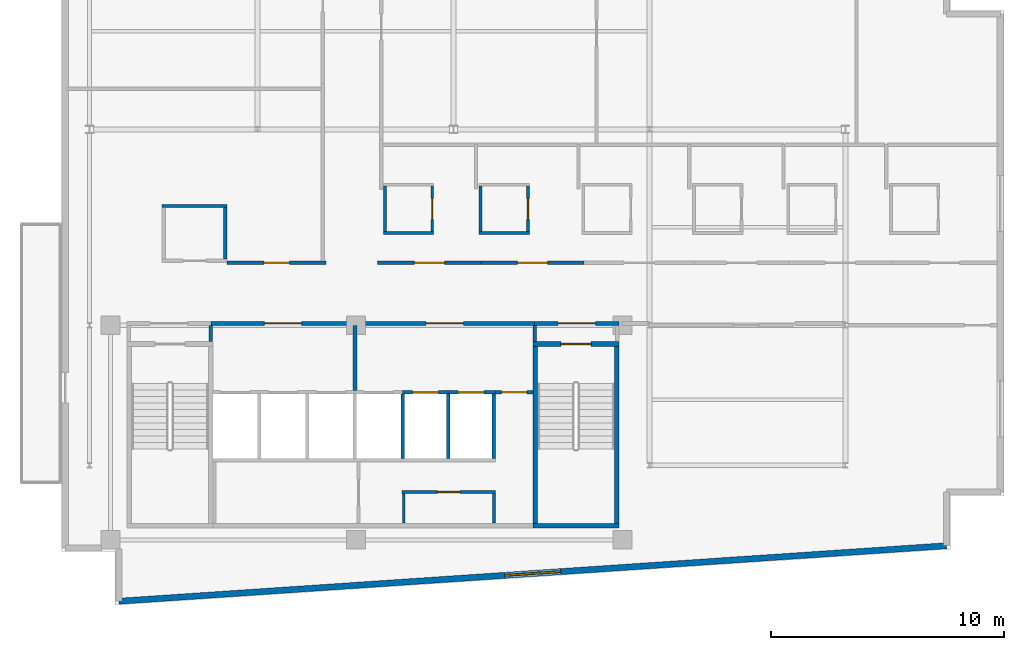
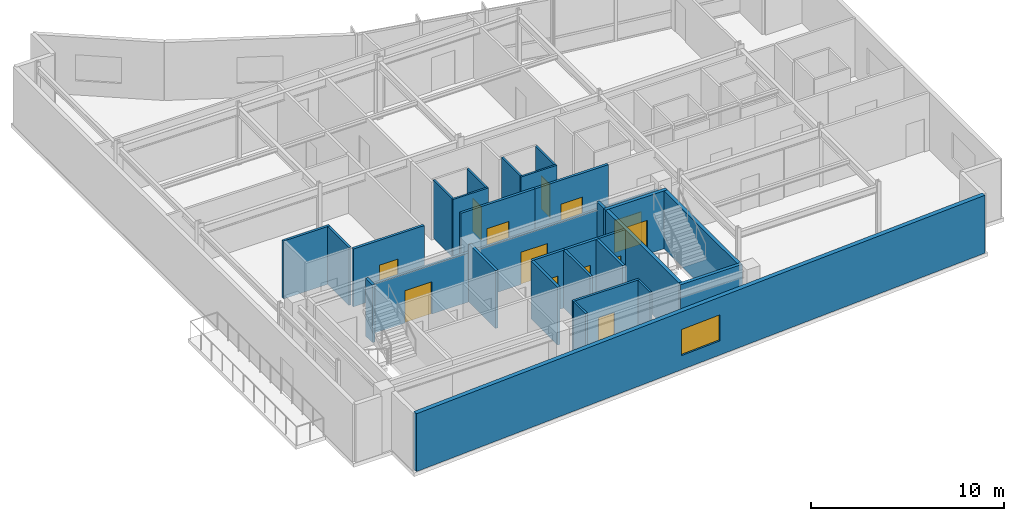
# One storey, part 10 of 15: 31 walls, 13 doors, 1 window, 14 openings.
"""IFC4 building model written with IfcOpenShell, lengths in metres."""

from ifc_helpers import new_model, si_unit, direction, frame, frame_2d, origin, place, context, subcontext, project, spatial, rectangle, extrude, material, layer, layer_set, type_object, element, fill, save


model = new_model("IFC4")

# Units and contexts
model_context = context("Model", 3, precision=1e-05, world=origin(), true_north=direction((0.0, 1.0)))
body_context = subcontext(model_context, "Body", "Model", "MODEL_VIEW")
ifc_project = project(units=[si_unit("LENGTHUNIT", "METRE"), si_unit("AREAUNIT", "SQUARE_METRE"), si_unit("VOLUMEUNIT", "CUBIC_METRE"), si_unit("PLANEANGLEUNIT", "RADIAN"), si_unit("MASSUNIT", "GRAM", prefix="KILO")], contexts=[model_context])

# Site, building, storey
site_placement = place(None, origin())
site = spatial("IfcSite", under=ifc_project, at=site_placement, CompositionType="ELEMENT")
building_placement = place(site_placement, origin())
building = spatial("IfcBuilding", under=site, at=building_placement, Name="Varnakote Quay Hospital", CompositionType="ELEMENT")
storey_placement = place(building_placement, frame((0.0, 0.0, 300.0)))
storey = spatial("IfcBuildingStorey", under=building, at=storey_placement, Name="L74", CompositionType="ELEMENT", Elevation=300.0)

# Wall
ifc_material_1 = material(Name="Fire-rated acoustic gypsum stud wall", Category="gypsum")
ifc_layer_1 = layer(ifc_material_1, 0.159912109375)
ifc_layer_set_1 = layer_set([ifc_layer_1], Name="Fire-rated acoustic gypsum stud wall")
wall_type_1 = type_object("IfcWallType", Name="WL-COMP-160", PredefinedType="PARTITIONING", material=ifc_layer_set_1)
wall_1_placement = place(storey_placement, frame((6.39990234375, 11.300048828125, 0.0), z_axis=(0.0, 0.0, 1.0), x_axis=(0.0, 1.0, 0.0)))
element("IfcWall", 1, at=wall_1_placement, inside=storey, type_object=wall_type_1, Name="L74 Firefighting Lobby West Wall", PredefinedType="PARTITIONING", context=body_context, shape_type="SweptSolid", body=[
    extrude(rectangle(XDim=0.699951171875, YDim=0.159912109375, at=frame_2d((0.35009765625, 0.0))), origin(), (0.0, 0.0, 1.0), 3.669921875),
])

# Wall, opening, door
wall_2_placement = place(storey_placement, frame((6.39990234375, 12.080078125, 0.0), z_axis=(0.0, 0.0, 1.0), x_axis=(1.0, 0.0, 0.0)))
wall_2 = element("IfcWall", 2, at=wall_2_placement, inside=storey, type_object=wall_type_1, Name="L74 Firefighting Lift Lobby Compartment Wall", PredefinedType="PARTITIONING", context=body_context, shape_type="SweptSolid", body=[
    extrude(rectangle(XDim=6.18017578125, YDim=0.159912109375, at=frame_2d((3.090087890625, 0.0))), origin(), (0.0, 0.0, 1.0), 3.116943359375),
])
opening_1_placement = place(wall_2_placement, frame((2.2900390625, 0.0, 0.0)))
opening_1 = element("IfcOpeningElement", 3, at=opening_1_placement, cuts=wall_2, Name="Opening D-FFL-L74", PredefinedType="OPENING", context=body_context, shape_type="SweptSolid", body=[
    extrude(rectangle(XDim=1.60009765625, YDim=2.050048828125, at=frame_2d((0.800048828125, 1.02490234375))), frame((0.0, 0.08984375, 0.0), z_axis=(0.0, -1.0, 0.0), x_axis=(1.0, 0.0, 0.0)), (0.0, 0.0, 1.0), 0.179931640625),
])
ifc_material_2 = material(Name="Fire-rated double smoke lobby door")
door_type_1 = type_object("IfcDoorType", Name="DR-LOBBY-FD60S-1600x2150", OperationType="NOTDEFINED", PredefinedType="DOOR", material=ifc_material_2)
door_1_placement = place(opening_1_placement, origin())
door_1 = element("IfcDoor", 4, at=door_1_placement, inside=storey, type_object=door_type_1, Name="L74 Firefighting Smoke Vestibule Door", OperationType="DOUBLE_DOOR_SINGLE_SWING", OverallHeight=2.050048828125, OverallWidth=1.60009765625, PredefinedType="DOOR", context=body_context, shape_type="SweptSolid", body=[
    extrude(rectangle(XDim=1.60009765625, YDim=2.050048828125, at=frame_2d((0.800048828125, 1.02490234375))), frame((0.0, 0.02490234375, 0.0), z_axis=(0.0, -1.0, 0.0), x_axis=(1.0, 0.0, 0.0)), (0.0, 0.0, 1.0), 0.050048828125),
])
fill(opening_1, door_1)

# Wall
wall_3_placement = place(storey_placement, frame((12.580078125, 9.2099609375, 0.0), z_axis=(0.0, 0.0, 1.0), x_axis=(0.0, 1.0, 0.0)))
element("IfcWall", 5, at=wall_3_placement, inside=storey, type_object=wall_type_1, Name="L74 Firefighting to Service Lobby Wall", PredefinedType="PARTITIONING", context=body_context, shape_type="SweptSolid", body=[
    extrude(rectangle(XDim=2.7900390625, YDim=0.159912109375, at=frame_2d((1.39501953125, 0.0))), origin(), (0.0, 0.0, 1.0), 3.669921875),
])

# Wall, opening, door
wall_4_placement = place(storey_placement, frame((12.580078125, 12.080078125, 0.0), z_axis=(0.0, 0.0, 1.0), x_axis=(1.0, 0.0, 0.0)))
wall_4 = element("IfcWall", 6, at=wall_4_placement, inside=storey, type_object=wall_type_1, Name="L74 Clinical Bed Lift Lobby Wall", PredefinedType="PARTITIONING", context=body_context, shape_type="SweptSolid", body=[
    extrude(rectangle(XDim=7.699951171875, YDim=0.159912109375, at=frame_2d((3.85009765625, 0.0))), origin(), (0.0, 0.0, 1.0), 3.116943359375),
])
opening_2_placement = place(wall_4_placement, frame((3.050048828125, 0.0, 0.0)))
opening_2 = element("IfcOpeningElement", 7, at=opening_2_placement, cuts=wall_4, Name="Opening D-SVL-L74", PredefinedType="OPENING", context=body_context, shape_type="SweptSolid", body=[
    extrude(rectangle(XDim=1.60009765625, YDim=2.050048828125, at=frame_2d((0.800048828125, 1.02490234375))), frame((0.0, 0.08984375, 0.0), z_axis=(0.0, -1.0, 0.0), x_axis=(1.0, 0.0, 0.0)), (0.0, 0.0, 1.0), 0.179931640625),
])
door_2_placement = place(opening_2_placement, origin())
door_2 = element("IfcDoor", 8, at=door_2_placement, inside=storey, type_object=door_type_1, Name="L74 Clinical Core Smoke Vestibule Door", OperationType="DOUBLE_DOOR_SINGLE_SWING", OverallHeight=2.050048828125, OverallWidth=1.60009765625, PredefinedType="DOOR", context=body_context, shape_type="SweptSolid", body=[
    extrude(rectangle(XDim=1.60009765625, YDim=2.050048828125, at=frame_2d((0.800048828125, 1.02490234375))), frame((0.0, 0.02490234375, 0.0), z_axis=(0.0, -1.0, 0.0), x_axis=(1.0, 0.0, 0.0)), (0.0, 0.0, 1.0), 0.050048828125),
])
fill(opening_2, door_2)

# Wall
wall_5_placement = place(storey_placement, frame((20.280029296875, 11.300048828125, 0.0), z_axis=(0.0, 0.0, 1.0), x_axis=(0.0, 1.0, 0.0)))
element("IfcWall", 9, at=wall_5_placement, inside=storey, type_object=wall_type_1, Name="L74 East Stair Vestibule Divider Wall", PredefinedType="PARTITIONING", context=body_context, shape_type="SweptSolid", body=[
    extrude(rectangle(XDim=0.699951171875, YDim=0.159912109375, at=frame_2d((0.35009765625, 0.0))), origin(), (0.0, 0.0, 1.0), 3.669921875),
])

# Wall, opening, door
wall_6_placement = place(storey_placement, frame((20.280029296875, 12.080078125, 0.0), z_axis=(0.0, 0.0, 1.0), x_axis=(1.0, 0.0, 0.0)))
wall_6 = element("IfcWall", 10, at=wall_6_placement, inside=storey, type_object=wall_type_1, Name="L74 East Stair Vestibule Smoke Wall", PredefinedType="PARTITIONING", context=body_context, shape_type="SweptSolid", body=[
    extrude(rectangle(XDim=3.619873046875, YDim=0.159912109375, at=frame_2d((1.81005859375, 0.0))), origin(), (0.0, 0.0, 1.0), 3.116943359375),
])
opening_3_placement = place(wall_6_placement, frame((1.010009765625, 0.0, 0.0)))
opening_3 = element("IfcOpeningElement", 11, at=opening_3_placement, cuts=wall_6, Name="Opening D-ST2L-L74", PredefinedType="OPENING", context=body_context, shape_type="SweptSolid", body=[
    extrude(rectangle(XDim=1.60009765625, YDim=2.050048828125, at=frame_2d((0.800048828125, 1.02490234375))), frame((0.0, 0.08984375, 0.0), z_axis=(0.0, -1.0, 0.0), x_axis=(1.0, 0.0, 0.0)), (0.0, 0.0, 1.0), 0.179931640625),
])
door_3_placement = place(opening_3_placement, origin())
door_3 = element("IfcDoor", 12, at=door_3_placement, inside=storey, type_object=door_type_1, Name="L74 East Stair Vestibule Smoke Door", OperationType="DOUBLE_DOOR_SINGLE_SWING", OverallHeight=2.050048828125, OverallWidth=1.60009765625, PredefinedType="DOOR", context=body_context, shape_type="SweptSolid", body=[
    extrude(rectangle(XDim=1.60009765625, YDim=2.050048828125, at=frame_2d((0.800048828125, 1.02490234375))), frame((0.0, 0.02490234375, 0.0), z_axis=(0.0, -1.0, 0.0), x_axis=(1.0, 0.0, 0.0)), (0.0, 0.0, 1.0), 0.050048828125),
])
fill(opening_3, door_3)

# Walls
ifc_material_3 = material(Name="Moisture-resistant bathroom partition", Category="gypsum")
ifc_layer_2 = layer(ifc_material_3, 0.114990234375)
ifc_layer_set_2 = layer_set([ifc_layer_2], Name="Moisture-resistant bathroom partition")
wall_type_2 = type_object("IfcWallType", Name="WL-ENS-115", PredefinedType="PARTITIONING", material=ifc_layer_set_2)
wall_7_placement = place(storey_placement, frame((13.804931640625, 15.952392578125, 0.0), z_axis=(0.0, 0.0, 1.0), x_axis=(1.0, 0.0, 0.0)))
element("IfcWall", 13, at=wall_7_placement, inside=storey, type_object=wall_type_2, Name="L74 Inpatient En-Suite Bathroom 01 S Wall", PredefinedType="PARTITIONING", context=body_context, shape_type="SweptSolid", body=[
    extrude(rectangle(XDim=2.150146484375, YDim=0.114990234375, at=frame_2d((1.0751953125, 0.0))), origin(), (0.0, 0.0, 1.0), 3.669921875),
])
wall_8_placement = place(storey_placement, frame((13.862548828125, 16.010009765625, 0.0), z_axis=(0.0, 0.0, 1.0), x_axis=(0.0, 1.0, 0.0)))
element("IfcWall", 14, at=wall_8_placement, inside=storey, type_object=wall_type_2, Name="L74 Inpatient En-Suite Bathroom 01 W Wall", PredefinedType="PARTITIONING", context=body_context, shape_type="SweptSolid", body=[
    extrude(rectangle(XDim=1.949951171875, YDim=0.114990234375, at=frame_2d((0.97509765625, 0.0))), origin(), (0.0, 0.0, 1.0), 3.669921875),
])

# Wall, opening, door
wall_9_placement = place(storey_placement, frame((15.8974609375, 16.010009765625, 0.0), z_axis=(0.0, 0.0, 1.0), x_axis=(0.0, 1.0, 0.0)))
wall_9 = element("IfcWall", 15, at=wall_9_placement, inside=storey, type_object=wall_type_2, Name="L74 Inpatient En-Suite Bathroom 01 E Wall", PredefinedType="PARTITIONING", context=body_context, shape_type="SweptSolid", body=[
    extrude(rectangle(XDim=1.949951171875, YDim=0.114990234375, at=frame_2d((0.97509765625, 0.0))), origin(), (0.0, 0.0, 1.0), 3.669921875),
])
opening_4_placement = place(wall_9_placement, frame((0.514892578125, 0.0, 0.0)))
opening_4 = element("IfcOpeningElement", 16, at=opening_4_placement, cuts=wall_9, Name="Opening D-L74-ENS01", PredefinedType="OPENING", context=body_context, shape_type="SweptSolid", body=[
    extrude(rectangle(XDim=0.919921875, YDim=2.10009765625, at=frame_2d((0.4599609375, 1.050048828125))), frame((0.0, 0.0673828125, 0.0), z_axis=(0.0, -1.0, 0.0), x_axis=(1.0, 0.0, 0.0)), (0.0, 0.0, 1.0), 0.135009765625),
])
ifc_material_4 = material(Name="Moisture-sealed en-suite bathroom door")
door_type_2 = type_object("IfcDoorType", Name="DR-ENS-920x2100", OperationType="NOTDEFINED", PredefinedType="DOOR", material=ifc_material_4)
door_4_placement = place(opening_4_placement, origin())
door_4 = element("IfcDoor", 17, at=door_4_placement, inside=storey, type_object=door_type_2, Name="L74 Inpatient En-Suite Bathroom 01 Door", OperationType="SINGLE_SWING_LEFT", OverallHeight=2.10009765625, OverallWidth=0.919921875, PredefinedType="DOOR", context=body_context, shape_type="SweptSolid", body=[
    extrude(rectangle(XDim=0.919921875, YDim=2.10009765625, at=frame_2d((0.4599609375, 1.050048828125))), frame((0.0, 0.02490234375, 0.0), z_axis=(0.0, -1.0, 0.0), x_axis=(1.0, 0.0, 0.0)), (0.0, 0.0, 1.0), 0.050048828125),
])
fill(opening_4, door_4)

# Walls
wall_10_placement = place(storey_placement, frame((17.905029296875, 15.952392578125, 0.0), z_axis=(0.0, 0.0, 1.0), x_axis=(1.0, 0.0, 0.0)))
element("IfcWall", 18, at=wall_10_placement, inside=storey, type_object=wall_type_2, Name="L74 Inpatient En-Suite Bathroom 02 S Wall", PredefinedType="PARTITIONING", context=body_context, shape_type="SweptSolid", body=[
    extrude(rectangle(XDim=2.14990234375, YDim=0.114990234375, at=frame_2d((1.074951171875, 0.0))), origin(), (0.0, 0.0, 1.0), 3.669921875),
])
wall_11_placement = place(storey_placement, frame((17.96240234375, 16.010009765625, 0.0), z_axis=(0.0, 0.0, 1.0), x_axis=(0.0, 1.0, 0.0)))
element("IfcWall", 19, at=wall_11_placement, inside=storey, type_object=wall_type_2, Name="L74 Inpatient En-Suite Bathroom 02 W Wall", PredefinedType="PARTITIONING", context=body_context, shape_type="SweptSolid", body=[
    extrude(rectangle(XDim=1.949951171875, YDim=0.114990234375, at=frame_2d((0.97509765625, 0.0))), origin(), (0.0, 0.0, 1.0), 3.669921875),
])

# Wall, opening, door
wall_12_placement = place(storey_placement, frame((19.99755859375, 16.010009765625, 0.0), z_axis=(0.0, 0.0, 1.0), x_axis=(0.0, 1.0, 0.0)))
wall_12 = element("IfcWall", 20, at=wall_12_placement, inside=storey, type_object=wall_type_2, Name="L74 Inpatient En-Suite Bathroom 02 E Wall", PredefinedType="PARTITIONING", context=body_context, shape_type="SweptSolid", body=[
    extrude(rectangle(XDim=1.949951171875, YDim=0.114990234375, at=frame_2d((0.97509765625, 0.0))), origin(), (0.0, 0.0, 1.0), 3.669921875),
])
opening_5_placement = place(wall_12_placement, frame((0.514892578125, 0.0, 0.0)))
opening_5 = element("IfcOpeningElement", 21, at=opening_5_placement, cuts=wall_12, Name="Opening D-L74-ENS02", PredefinedType="OPENING", context=body_context, shape_type="SweptSolid", body=[
    extrude(rectangle(XDim=0.919921875, YDim=2.10009765625, at=frame_2d((0.4599609375, 1.050048828125))), frame((0.0, 0.0673828125, 0.0), z_axis=(0.0, -1.0, 0.0), x_axis=(1.0, 0.0, 0.0)), (0.0, 0.0, 1.0), 0.135009765625),
])
door_5_placement = place(opening_5_placement, origin())
door_5 = element("IfcDoor", 22, at=door_5_placement, inside=storey, type_object=door_type_2, Name="L74 Inpatient En-Suite Bathroom 02 Door", OperationType="SINGLE_SWING_RIGHT", OverallHeight=2.10009765625, OverallWidth=0.919921875, PredefinedType="DOOR", context=body_context, shape_type="SweptSolid", body=[
    extrude(rectangle(XDim=0.919921875, YDim=2.10009765625, at=frame_2d((0.4599609375, 1.050048828125))), frame((0.0, 0.02490234375, 0.0), z_axis=(0.0, -1.0, 0.0), x_axis=(1.0, 0.0, 0.0)), (0.0, 0.0, 1.0), 0.050048828125),
])
fill(opening_5, door_5)

# Wall, opening, window
ifc_material_5 = material(Name="Precast concrete N50 (f'c 50 MPa)", Category="concrete")
ifc_layer_3 = layer(ifc_material_5, 0.260009765625)
ifc_layer_set_3 = layer_set([ifc_layer_3], Name="Precast concrete N50 (f'c 50 MPa)")
wall_type_3 = type_object("IfcWallType", Name="WL-EXT-BRICK-260", PredefinedType="STANDARD", material=ifc_layer_set_3)
wall_13_placement = place(storey_placement, frame((2.4599609375, 0.171142578125, 0.0), z_axis=(0.0, 0.0, 1.0), x_axis=(0.997760665813, 0.066885377746, 0.0)))
wall_13 = element("IfcWall", 23, at=wall_13_placement, inside=storey, type_object=wall_type_3, Name="L74 Brick-Faced Precast Exterior Wall", PredefinedType="STANDARD", context=body_context, shape_type="SweptSolid", body=[
    extrude(rectangle(XDim=35.5595703125, YDim=0.260009765625, at=frame_2d((17.77978515625, 0.0))), origin(), (0.0, 0.0, 1.0), 3.669921875),
])
opening_6_placement = place(wall_13_placement, frame((16.579833984375, 0.0, 0.89990234375)))
opening_6 = element("IfcOpeningElement", 24, at=opening_6_placement, cuts=wall_13, Name="Opening WN-0298", PredefinedType="OPENING", context=body_context, shape_type="SweptSolid", body=[
    extrude(rectangle(XDim=2.39990234375, YDim=1.64990234375, at=frame_2d((1.199951171875, 0.824951171875))), frame((0.0, 0.139892578125, 0.0), z_axis=(0.0, -1.0, 0.0), x_axis=(1.0, 0.0, 0.0)), (0.0, 0.0, 1.0), 0.280029296875),
])
ifc_material_6 = material(Name="Double-glazed low-E solar glass", Category="glass")
window_type = type_object("IfcWindowType", Name="WIN-CLIN-2400x1650", PartitioningType="SINGLE_PANEL", PredefinedType="WINDOW", material=ifc_material_6)
window_placement = place(opening_6_placement, origin())
window = element("IfcWindow", 25, at=window_placement, inside=storey, type_object=window_type, Name="L74 Solar-Control Clinical Window", OverallHeight=1.64990234375, OverallWidth=2.39990234375, PartitioningType="SINGLE_PANEL", PredefinedType="WINDOW", context=body_context, shape_type="SweptSolid", body=[
    extrude(rectangle(XDim=2.39990234375, YDim=1.64990234375, at=frame_2d((1.199951171875, 0.824951171875))), frame((0.0, 0.030029296875, 0.0), z_axis=(0.0, -1.0, 0.0), x_axis=(1.0, 0.0, 0.0)), (0.0, 0.0, 1.0), 0.06005859375),
])
fill(opening_6, window)

# Walls
ifc_material_7 = material(Name="Concrete N50 (f'c 50 MPa)", Category="concrete")
ifc_layer_4 = layer(ifc_material_7, 0.14990234375)
ifc_layer_set_4 = layer_set([ifc_layer_4], Name="Concrete N50 (f'c 50 MPa)")
wall_type_4 = type_object("IfcWallType", Name="WL-SHAFT-N50-150", PredefinedType="SHEAR", material=ifc_layer_set_4)
for number, where, z_axis, x_axis, name in (
    (26, (14.625, 6.300048828125, 0.0), (0.0, 0.0, 1.0), (0.0, 1.0, 0.0), "L74 LF-SV2 Hoistway Divider Wall"),
    (27, (16.574951171875, 6.300048828125, 0.0), (0.0, 0.0, 1.0), (0.0, 1.0, 0.0), "L74 LF-PH1 Hoistway Divider Wall"),
):
    element("IfcWall", number, at=place(storey_placement, frame(where, z_axis=z_axis, x_axis=x_axis)), inside=storey, type_object=wall_type_4, Name=name, PredefinedType="SHEAR", context=body_context, shape_type="SweptSolid", body=[
        extrude(rectangle(XDim=2.75, YDim=0.14990234375, at=frame_2d((1.375, 0.0))), origin(), (0.0, 0.0, 1.0), 3.669921875),
    ])
ifc_material_8 = material(Name="Concrete N50 (f'c 50 MPa)", Category="concrete")
ifc_layer_5 = layer(ifc_material_8, 0.159912109375)
ifc_layer_set_5 = layer_set([ifc_layer_5], Name="Concrete N50 (f'c 50 MPa)")
wall_type_5 = type_object("IfcWallType", Name="WL-SHAFT-N50-160", PredefinedType="SHEAR", material=ifc_layer_set_5)
wall_14_placement = place(storey_placement, frame((18.530029296875, 6.300048828125, 0.0), z_axis=(0.0, 0.0, 1.0), x_axis=(0.0, 1.0, 0.0)))
element("IfcWall", 28, at=wall_14_placement, inside=storey, type_object=wall_type_5, Name="L74 REAR Lift Bank East Shear Wall", PredefinedType="SHEAR", context=body_context, shape_type="SweptSolid", body=[
    extrude(rectangle(XDim=2.75, YDim=0.159912109375, at=frame_2d((1.375, 0.0))), origin(), (0.0, 0.0, 1.0), 3.669921875),
])

# Wall, opening, door
wall_15_placement = place(storey_placement, frame((14.625, 9.1298828125, 0.0), z_axis=(0.0, 0.0, 1.0), x_axis=(1.0, 0.0, 0.0)))
wall_15 = element("IfcWall", 29, at=wall_15_placement, inside=storey, type_object=wall_type_5, Name="L74 LF-PH1 Hoistway Front Wall", PredefinedType="SHEAR", context=body_context, shape_type="SweptSolid", body=[
    extrude(rectangle(XDim=1.949951171875, YDim=0.159912109375, at=frame_2d((0.97509765625, 0.0))), origin(), (0.0, 0.0, 1.0), 3.669921875),
])
opening_7_placement = place(wall_15_placement, frame((0.425048828125, 0.0, 0.0)))
opening_7 = element("IfcOpeningElement", 30, at=opening_7_placement, cuts=wall_15, Name="Opening LD-PH1-L74", PredefinedType="OPENING", context=body_context, shape_type="SweptSolid", body=[
    extrude(rectangle(XDim=1.10009765625, YDim=2.14990234375, at=frame_2d((0.550048828125, 1.074951171875))), frame((0.0, 0.08984375, 0.0), z_axis=(0.0, -1.0, 0.0), x_axis=(1.0, 0.0, 0.0)), (0.0, 0.0, 1.0), 0.179931640625),
])
ifc_material_9 = material(Name="Brushed bronze lift landing sliding door")
door_type_3 = type_object("IfcDoorType", Name="DR-LIFT-LD-1100x2150", OperationType="NOTDEFINED", PredefinedType="DOOR", material=ifc_material_9)
door_6_placement = place(opening_7_placement, origin())
door_6 = element("IfcDoor", 31, at=door_6_placement, inside=storey, type_object=door_type_3, Name="L74 LF-PH1 Lift Landing Sliding Door", OperationType="SLIDING_TO_LEFT", OverallHeight=2.14990234375, OverallWidth=1.10009765625, PredefinedType="DOOR", context=body_context, shape_type="SweptSolid", body=[
    extrude(rectangle(XDim=1.10009765625, YDim=2.14990234375, at=frame_2d((0.550048828125, 1.074951171875))), frame((0.0, 0.02490234375, 0.0), z_axis=(0.0, -1.0, 0.0), x_axis=(1.0, 0.0, 0.0)), (0.0, 0.0, 1.0), 0.050048828125),
])
fill(opening_7, door_6)

wall_16_placement = place(storey_placement, frame((16.574951171875, 9.1298828125, 0.0), z_axis=(0.0, 0.0, 1.0), x_axis=(1.0, 0.0, 0.0)))
wall_16 = element("IfcWall", 32, at=wall_16_placement, inside=storey, type_object=wall_type_5, Name="L74 LF-PH2 Hoistway Front Wall", PredefinedType="SHEAR", context=body_context, shape_type="SweptSolid", body=[
    extrude(rectangle(XDim=2.03515625, YDim=0.159912109375, at=frame_2d((1.017578125, 0.0))), origin(), (0.0, 0.0, 1.0), 3.669921875),
])
opening_8_placement = place(wall_16_placement, frame((0.425048828125, 0.0, 0.0)))
opening_8 = element("IfcOpeningElement", 33, at=opening_8_placement, cuts=wall_16, Name="Opening LD-PH2-L74", PredefinedType="OPENING", context=body_context, shape_type="SweptSolid", body=[
    extrude(rectangle(XDim=1.10009765625, YDim=2.14990234375, at=frame_2d((0.550048828125, 1.074951171875))), frame((0.0, 0.08984375, 0.0), z_axis=(0.0, -1.0, 0.0), x_axis=(1.0, 0.0, 0.0)), (0.0, 0.0, 1.0), 0.179931640625),
])
door_7_placement = place(opening_8_placement, origin())
door_7 = element("IfcDoor", 34, at=door_7_placement, inside=storey, type_object=door_type_3, Name="L74 LF-PH2 Lift Landing Sliding Door", OperationType="SLIDING_TO_LEFT", OverallHeight=2.14990234375, OverallWidth=1.10009765625, PredefinedType="DOOR", context=body_context, shape_type="SweptSolid", body=[
    extrude(rectangle(XDim=1.10009765625, YDim=2.14990234375, at=frame_2d((0.550048828125, 1.074951171875))), frame((0.0, 0.02490234375, 0.0), z_axis=(0.0, -1.0, 0.0), x_axis=(1.0, 0.0, 0.0)), (0.0, 0.0, 1.0), 0.050048828125),
])
fill(opening_8, door_7)

# Walls
ifc_material_10 = material(Name="Concrete N50 (f'c 50 MPa)", Category="concrete")
ifc_layer_6 = layer(ifc_material_10, 0.199951171875)
ifc_layer_set_6 = layer_set([ifc_layer_6], Name="Concrete N50 (f'c 50 MPa)")
wall_type_6 = type_object("IfcWallType", Name="WL-SHAFT-N50-200", PredefinedType="SHEAR", material=ifc_layer_set_6)
wall_17_placement = place(storey_placement, frame((20.199951171875, 3.39990234375, 0.0), z_axis=(0.0, 0.0, 1.0), x_axis=(1.0, 0.0, 0.0)))
element("IfcWall", 35, at=wall_17_placement, inside=storey, type_object=wall_type_6, Name="L74 Stair ST2 South Shaft Wall", PredefinedType="SHEAR", context=body_context, shape_type="SweptSolid", body=[
    extrude(rectangle(XDim=3.699951171875, YDim=0.199951171875, at=frame_2d((1.85009765625, 0.0))), origin(), (0.0, 0.0, 1.0), 3.669921875),
])
for number, where, z_axis, x_axis, name in (
    (36, (20.300048828125, 3.5, 0.0), (0.0, 0.0, 1.0), (0.0, 1.0, 0.0), "L74 Stair ST2 West Shaft Wall"),
    (37, (23.800048828125, 3.5, 0.0), (0.0, 0.0, 1.0), (0.0, 1.0, 0.0), "L74 Stair ST2 East Shaft Wall"),
):
    element("IfcWall", number, at=place(storey_placement, frame(where, z_axis=z_axis, x_axis=x_axis)), inside=storey, type_object=wall_type_6, Name=name, PredefinedType="SHEAR", context=body_context, shape_type="SweptSolid", body=[
        extrude(rectangle(XDim=7.60009765625, YDim=0.199951171875, at=frame_2d((3.800048828125, 0.0))), origin(), (0.0, 0.0, 1.0), 3.669921875),
    ])

# Wall, opening, door
wall_18_placement = place(storey_placement, frame((20.199951171875, 11.199951171875, 0.0), z_axis=(0.0, 0.0, 1.0), x_axis=(1.0, 0.0, 0.0)))
wall_18 = element("IfcWall", 38, at=wall_18_placement, inside=storey, type_object=wall_type_6, Name="L74 Stair ST2 Exit Wall", PredefinedType="SHEAR", context=body_context, shape_type="SweptSolid", body=[
    extrude(rectangle(XDim=3.699951171875, YDim=0.199951171875, at=frame_2d((1.85009765625, 0.0))), origin(), (0.0, 0.0, 1.0), 3.669921875),
])
opening_9_placement = place(wall_18_placement, frame((1.199951171875, 0.0, 0.0)))
opening_9 = element("IfcOpeningElement", 39, at=opening_9_placement, cuts=wall_18, Name="Opening D-ST2-L74", PredefinedType="OPENING", context=body_context, shape_type="SweptSolid", body=[
    extrude(rectangle(XDim=1.300048828125, YDim=2.14990234375, at=frame_2d((0.64990234375, 1.074951171875))), frame((0.0, 0.10986328125, 0.0), z_axis=(0.0, -1.0, 0.0), x_axis=(1.0, 0.0, 0.0)), (0.0, 0.0, 1.0), 0.219970703125),
])
ifc_material_11 = material(Name="Fire-rated ceramic-glazed timber exit door", Category="wood")
door_type_4 = type_object("IfcDoorType", Name="DR-STAIR-FD60S-1300x2150", OperationType="NOTDEFINED", PredefinedType="DOOR", material=ifc_material_11)
door_8_placement = place(opening_9_placement, origin())
door_8 = element("IfcDoor", 40, at=door_8_placement, inside=storey, type_object=door_type_4, Name="L74 Stair ST2 Fire Exit Door", OperationType="SINGLE_SWING_RIGHT", OverallHeight=2.14990234375, OverallWidth=1.300048828125, PredefinedType="DOOR", context=body_context, shape_type="SweptSolid", body=[
    extrude(rectangle(XDim=1.300048828125, YDim=2.14990234375, at=frame_2d((0.64990234375, 1.074951171875))), frame((0.0, 0.02490234375, 0.0), z_axis=(0.0, -1.0, 0.0), x_axis=(1.0, 0.0, 0.0)), (0.0, 0.0, 1.0), 0.050048828125),
])
fill(opening_9, door_8)

# Walls
ifc_material_12 = material(Name="Smoke-proof clinical partition", Category="gypsum")
ifc_layer_7 = layer(ifc_material_12, 0.1201171875)
ifc_layer_set_7 = layer_set([ifc_layer_7], Name="Smoke-proof clinical partition")
wall_type_7 = type_object("IfcWallType", Name="WL-SMOKE-120", PredefinedType="PARTITIONING", material=ifc_layer_set_7)
for number, where, z_axis, x_axis, name in (
    (41, (14.669921875, 3.52001953125, 0.0), (0.0, 0.0, 1.0), (0.0, 1.0, 0.0), "L74 Core WC West Wall"),
    (42, (18.5400390625, 3.52001953125, 0.0), (0.0, 0.0, 1.0), (0.0, 1.0, 0.0), "L74 Core WC East Wall"),
):
    element("IfcWall", number, at=place(storey_placement, frame(where, z_axis=z_axis, x_axis=x_axis)), inside=storey, type_object=wall_type_7, Name=name, PredefinedType="PARTITIONING", context=body_context, shape_type="SweptSolid", body=[
        extrude(rectangle(XDim=1.260009765625, YDim=0.1201171875, at=frame_2d((0.6298828125, 0.0))), origin(), (0.0, 0.0, 1.0), 3.669921875),
    ])

# Wall, opening, door
ifc_material_13 = material(Name="Fire-rated clinical gypsum partition", Category="gypsum")
ifc_layer_8 = layer(ifc_material_13, 0.139892578125)
ifc_layer_set_8 = layer_set([ifc_layer_8], Name="Fire-rated clinical gypsum partition")
wall_type_8 = type_object("IfcWallType", Name="WL-WARD-140", PredefinedType="PARTITIONING", material=ifc_layer_set_8)
wall_19_placement = place(storey_placement, frame((14.60009765625, 4.85009765625, 0.0), z_axis=(0.0, 0.0, 1.0), x_axis=(1.0, 0.0, 0.0)))
wall_19 = element("IfcWall", 43, at=wall_19_placement, inside=storey, type_object=wall_type_8, Name="L74 Core Staff Sanitary WC North Wall", PredefinedType="PARTITIONING", context=body_context, shape_type="SweptSolid", body=[
    extrude(rectangle(XDim=4.0, YDim=0.139892578125, at=frame_2d((2.0, 0.0))), origin(), (0.0, 0.0, 1.0), 3.669921875),
])
opening_10_placement = place(wall_19_placement, frame((1.510009765625, 0.0, 0.0)))
opening_10 = element("IfcOpeningElement", 44, at=opening_10_placement, cuts=wall_19, Name="Opening D-L74-CR02", PredefinedType="OPENING", context=body_context, shape_type="SweptSolid", body=[
    extrude(rectangle(XDim=0.97998046875, YDim=2.10009765625, at=frame_2d((0.489990234375, 1.050048828125))), frame((0.0, 0.079833984375, 0.0), z_axis=(0.0, -1.0, 0.0), x_axis=(1.0, 0.0, 0.0)), (0.0, 0.0, 1.0), 0.159912109375),
])
ifc_material_14 = material(Name="Accessible sanitary compartment door")
door_type_5 = type_object("IfcDoorType", Name="DR-WC-980x2100", OperationType="NOTDEFINED", PredefinedType="DOOR", material=ifc_material_14)
door_9_placement = place(opening_10_placement, origin())
door_9 = element("IfcDoor", 45, at=door_9_placement, inside=storey, type_object=door_type_5, Name="L74 Core Staff Sanitary WC Door", OperationType="SINGLE_SWING_RIGHT", OverallHeight=2.10009765625, OverallWidth=0.97998046875, PredefinedType="DOOR", context=body_context, shape_type="SweptSolid", body=[
    extrude(rectangle(XDim=0.97998046875, YDim=2.10009765625, at=frame_2d((0.489990234375, 1.050048828125))), frame((0.0, 0.02490234375, 0.0), z_axis=(0.0, -1.0, 0.0), x_axis=(1.0, 0.0, 0.0)), (0.0, 0.0, 1.0), 0.050048828125),
])
fill(opening_10, door_9)

wall_20_placement = place(storey_placement, frame((18.610107421875, 9.1298828125, 0.0), z_axis=(0.0, 0.0, 1.0), x_axis=(1.0, 0.0, 0.0)))
wall_20 = element("IfcWall", 46, at=wall_20_placement, inside=storey, type_object=wall_type_8, Name="L74 Core Service Corridor North Door Wall", PredefinedType="PARTITIONING", context=body_context, shape_type="SweptSolid", body=[
    extrude(rectangle(XDim=1.58984375, YDim=0.139892578125, at=frame_2d((0.794921875, 0.0))), origin(), (0.0, 0.0, 1.0), 3.669921875),
])
opening_11_placement = place(wall_20_placement, frame((0.239990234375, 0.0, 0.0)))
opening_11 = element("IfcOpeningElement", 47, at=opening_11_placement, cuts=wall_20, Name="Opening D-CSRV-L74", PredefinedType="OPENING", context=body_context, shape_type="SweptSolid", body=[
    extrude(rectangle(XDim=1.10009765625, YDim=2.10009765625, at=frame_2d((0.550048828125, 1.050048828125))), frame((0.0, 0.079833984375, 0.0), z_axis=(0.0, -1.0, 0.0), x_axis=(1.0, 0.0, 0.0)), (0.0, 0.0, 1.0), 0.159912109375),
])
ifc_material_15 = material(Name="Acoustic timber clinical consult door", Category="wood")
door_type_6 = type_object("IfcDoorType", Name="DR-CLIN-FD30S-1100x2100", OperationType="NOTDEFINED", PredefinedType="DOOR", material=ifc_material_15)
door_10_placement = place(opening_11_placement, origin())
door_10 = element("IfcDoor", 48, at=door_10_placement, inside=storey, type_object=door_type_6, Name="L74 Core Service Corridor Door", OperationType="SINGLE_SWING_LEFT", OverallHeight=2.10009765625, OverallWidth=1.10009765625, PredefinedType="DOOR", context=body_context, shape_type="SweptSolid", body=[
    extrude(rectangle(XDim=1.10009765625, YDim=2.10009765625, at=frame_2d((0.550048828125, 1.050048828125))), frame((0.0, 0.02490234375, 0.0), z_axis=(0.0, -1.0, 0.0), x_axis=(1.0, 0.0, 0.0)), (0.0, 0.0, 1.0), 0.050048828125),
])
fill(opening_11, door_10)

# Walls
wall_21_placement = place(storey_placement, frame((4.31005859375, 17.110107421875, 0.0), z_axis=(0.0, 0.0, 1.0), x_axis=(1.0, 0.0, 0.0)))
element("IfcWall", 49, at=wall_21_placement, inside=storey, type_object=wall_type_8, Name="L74 Floor Unisex Accessible WC N Wall", PredefinedType="PARTITIONING", context=body_context, shape_type="SweptSolid", body=[
    extrude(rectangle(XDim=2.780029296875, YDim=0.139892578125, at=frame_2d((1.39013671875, 0.0))), origin(), (0.0, 0.0, 1.0), 3.669921875),
])
wall_22_placement = place(storey_placement, frame((7.02001953125, 14.840087890625, 0.0), z_axis=(0.0, 0.0, 1.0), x_axis=(0.0, 1.0, 0.0)))
element("IfcWall", 50, at=wall_22_placement, inside=storey, type_object=wall_type_8, Name="L74 Floor Unisex Accessible WC E Wall", PredefinedType="PARTITIONING", context=body_context, shape_type="SweptSolid", body=[
    extrude(rectangle(XDim=2.199951171875, YDim=0.139892578125, at=frame_2d((1.10009765625, 0.0))), origin(), (0.0, 0.0, 1.0), 3.669921875),
])

# Wall, opening, door
ifc_material_16 = material(Name="Fire-rated clinical gypsum partition", Category="gypsum")
ifc_layer_9 = layer(ifc_material_16, 0.14990234375)
ifc_layer_set_9 = layer_set([ifc_layer_9], Name="Fire-rated clinical gypsum partition")
wall_type_9 = type_object("IfcWallType", Name="WL-WARD-150", PredefinedType="PARTITIONING", material=ifc_layer_set_9)
wall_23_placement = place(storey_placement, frame((11.345947265625, 14.679931640625, 0.0), z_axis=(0.0, 0.0, 1.0), x_axis=(-1.0, 0.0, 0.0)))
wall_23 = element("IfcWall", 51, at=wall_23_placement, inside=storey, type_object=wall_type_9, Name="L74 Clinical Interior Partition", PredefinedType="PARTITIONING", context=body_context, shape_type="SweptSolid", body=[
    extrude(rectangle(XDim=4.25390625, YDim=0.14990234375, at=frame_2d((2.126953125, 0.0))), origin(), (0.0, 0.0, 1.0), 3.669921875),
])
opening_12_placement = place(wall_23_placement, frame((1.576904296875, 0.0, 0.0)))
opening_12 = element("IfcOpeningElement", 52, at=opening_12_placement, cuts=wall_23, Name="Opening D-L74-DLNG", PredefinedType="OPENING", context=body_context, shape_type="SweptSolid", body=[
    extrude(rectangle(XDim=1.10009765625, YDim=2.10009765625, at=frame_2d((0.550048828125, 1.050048828125))), frame((0.0, 0.0849609375, 0.0), z_axis=(0.0, -1.0, 0.0), x_axis=(1.0, 0.0, 0.0)), (0.0, 0.0, 1.0), 0.169921875),
])
door_11_placement = place(opening_12_placement, origin())
door_11 = element("IfcDoor", 53, at=door_11_placement, inside=storey, type_object=door_type_6, Name="L74 Waterfront Patient & Family Dayroom Door", OperationType="SINGLE_SWING_LEFT", OverallHeight=2.10009765625, OverallWidth=1.10009765625, PredefinedType="DOOR", context=body_context, shape_type="SweptSolid", body=[
    extrude(rectangle(XDim=1.10009765625, YDim=2.10009765625, at=frame_2d((0.550048828125, 1.050048828125))), frame((0.0, 0.02490234375, 0.0), z_axis=(0.0, -1.0, 0.0), x_axis=(1.0, 0.0, 0.0)), (0.0, 0.0, 1.0), 0.050048828125),
])
fill(opening_12, door_11)

wall_24_placement = place(storey_placement, frame((17.986083984375, 14.679931640625, 0.0), z_axis=(0.0, 0.0, 1.0), x_axis=(-1.0, 0.0, 0.0)))
wall_24 = element("IfcWall", 54, at=wall_24_placement, inside=storey, type_object=wall_type_9, Name="L74 Clinical Interior Partition", PredefinedType="PARTITIONING", context=body_context, shape_type="SweptSolid", body=[
    extrude(rectangle(XDim=4.43212890625, YDim=0.14990234375, at=frame_2d((2.216064453125, 0.0))), origin(), (0.0, 0.0, 1.0), 3.669921875),
])
opening_13_placement = place(wall_24_placement, frame((1.56591796875, 0.0, 0.0)))
opening_13 = element("IfcOpeningElement", 55, at=opening_13_placement, cuts=wall_24, Name="Opening D-L74-BR01", PredefinedType="OPENING", context=body_context, shape_type="SweptSolid", body=[
    extrude(rectangle(XDim=1.300048828125, YDim=2.14990234375, at=frame_2d((0.64990234375, 1.074951171875))), frame((0.0, 0.0849609375, 0.0), z_axis=(0.0, -1.0, 0.0), x_axis=(1.0, 0.0, 0.0)), (0.0, 0.0, 1.0), 0.169921875),
])
ifc_material_17 = material(Name="Solid-core timber clinical bed door", Category="wood")
door_type_7 = type_object("IfcDoorType", Name="DR-WARD-FD30S-1300x2150", OperationType="NOTDEFINED", PredefinedType="DOOR", material=ifc_material_17)
door_12_placement = place(opening_13_placement, origin())
door_12 = element("IfcDoor", 56, at=door_12_placement, inside=storey, type_object=door_type_7, Name="L74 Resident Care Bedroom 01 Door", OperationType="SINGLE_SWING_RIGHT", OverallHeight=2.14990234375, OverallWidth=1.300048828125, PredefinedType="DOOR", context=body_context, shape_type="SweptSolid", body=[
    extrude(rectangle(XDim=1.300048828125, YDim=2.14990234375, at=frame_2d((0.64990234375, 1.074951171875))), frame((0.0, 0.02490234375, 0.0), z_axis=(0.0, -1.0, 0.0), x_axis=(1.0, 0.0, 0.0)), (0.0, 0.0, 1.0), 0.050048828125),
])
fill(opening_13, door_12)

wall_25_placement = place(storey_placement, frame((22.385986328125, 14.679931640625, 0.0), z_axis=(0.0, 0.0, 1.0), x_axis=(-1.0, 0.0, 0.0)))
wall_25 = element("IfcWall", 57, at=wall_25_placement, inside=storey, type_object=wall_type_9, Name="L74 Clinical Interior Partition", PredefinedType="PARTITIONING", context=body_context, shape_type="SweptSolid", body=[
    extrude(rectangle(XDim=4.39794921875, YDim=0.14990234375, at=frame_2d((2.198974609375, 0.0))), origin(), (0.0, 0.0, 1.0), 3.669921875),
])
opening_14_placement = place(wall_25_placement, frame((1.549072265625, 0.0, 0.0)))
opening_14 = element("IfcOpeningElement", 58, at=opening_14_placement, cuts=wall_25, Name="Opening D-L74-BR02", PredefinedType="OPENING", context=body_context, shape_type="SweptSolid", body=[
    extrude(rectangle(XDim=1.300048828125, YDim=2.14990234375, at=frame_2d((0.64990234375, 1.074951171875))), frame((0.0, 0.0849609375, 0.0), z_axis=(0.0, -1.0, 0.0), x_axis=(1.0, 0.0, 0.0)), (0.0, 0.0, 1.0), 0.169921875),
])
door_13_placement = place(opening_14_placement, origin())
door_13 = element("IfcDoor", 59, at=door_13_placement, inside=storey, type_object=door_type_7, Name="L74 Resident Care Bedroom 02 Door", OperationType="SINGLE_SWING_LEFT", OverallHeight=2.14990234375, OverallWidth=1.300048828125, PredefinedType="DOOR", context=body_context, shape_type="SweptSolid", body=[
    extrude(rectangle(XDim=1.300048828125, YDim=2.14990234375, at=frame_2d((0.64990234375, 1.074951171875))), frame((0.0, 0.02490234375, 0.0), z_axis=(0.0, -1.0, 0.0), x_axis=(1.0, 0.0, 0.0)), (0.0, 0.0, 1.0), 0.050048828125),
])
fill(opening_14, door_13)

save(model, "model.ifc")
